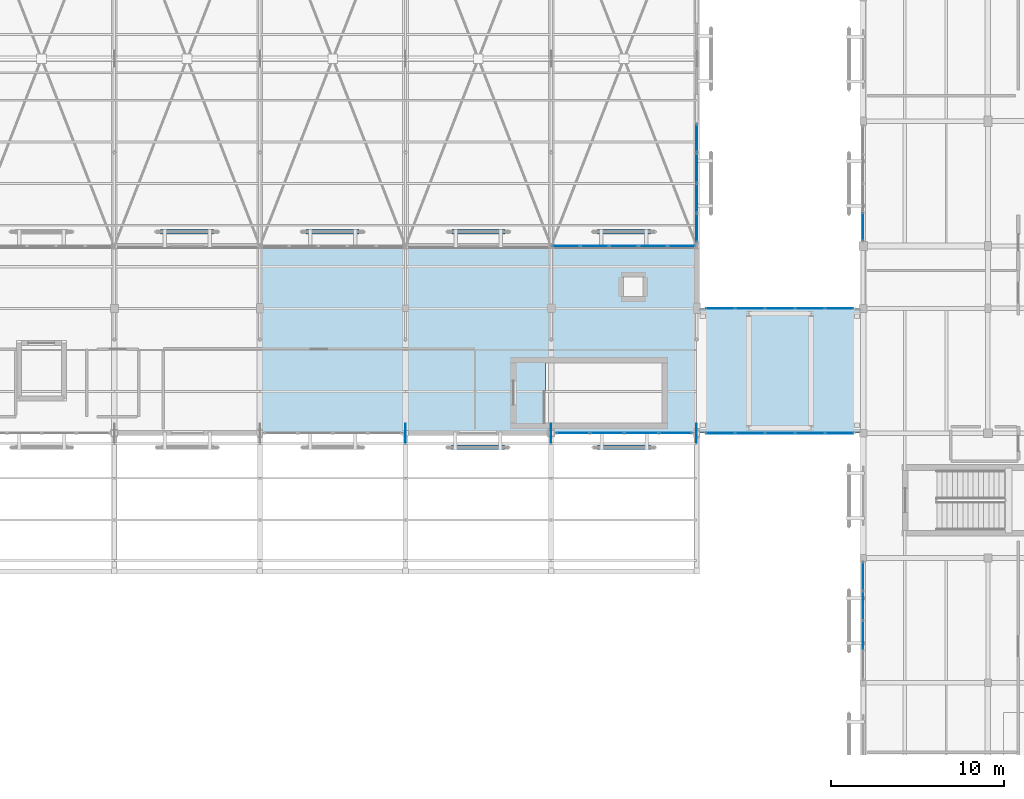
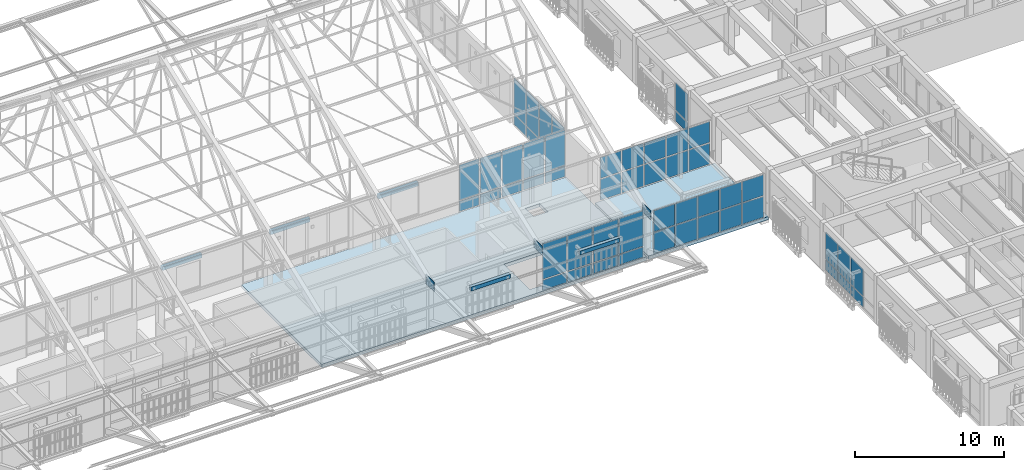
# One storey, part 170 of 217: 63 plates, 2 slabs, 7 elements without a shape of their own.
"""IFC4 building model written with IfcOpenShell, lengths in metres."""

from ifc_helpers import new_model, si_unit, direction, frame, origin, origin_2d, place, context, subcontext, project, spatial, polyline, rectangle, outline, extrude, material, layer, layer_set, type_object, element, aggregate, save


model = new_model("IFC4")

# Units and contexts
model_context = context("Model", 3, precision=1e-05, world=origin(), true_north=direction((0.0, 1.0)))
body_context = subcontext(model_context, "Body", "Model", "MODEL_VIEW")
ifc_project = project(units=[si_unit("LENGTHUNIT", "METRE"), si_unit("AREAUNIT", "SQUARE_METRE"), si_unit("VOLUMEUNIT", "CUBIC_METRE"), si_unit("PLANEANGLEUNIT", "RADIAN"), si_unit("MASSUNIT", "GRAM", prefix="KILO")], contexts=[model_context])

# Site, building, storey
site_placement = place(None, origin())
site = spatial("IfcSite", under=ifc_project, at=site_placement, CompositionType="ELEMENT")
building_placement = place(site_placement, origin())
building = spatial("IfcBuilding", under=site, at=building_placement, Name="Mazaris Harbour Polytechnic", CompositionType="ELEMENT")
storey_placement = place(building_placement, frame((0.0, 0.0, 9.60009765625)))
storey = spatial("IfcBuildingStorey", under=building, at=storey_placement, Name="L02", CompositionType="ELEMENT", Elevation=9.60009765625)

# Curtain wall, plates
ifc_material_1 = material(Name="Anodised Bronze Aluminium and Low-E Glass", Category="aluminium")
ifc_layer_1 = layer(ifc_material_1, 0.14990234375, Name="Anodised Bronze Aluminium and Low-E Glass")
ifc_layer_set_1 = layer_set([ifc_layer_1], Name="Anodised Bronze Aluminium and Low-E Glass")
curtain_wall_type_1 = type_object("IfcCurtainWallType", Name="Workshop Clerestory Curtain Wall", PredefinedType="NOTDEFINED", material=ifc_layer_set_1)
curtain_wall_1_placement = place(storey_placement, origin())
curtain_wall_1 = element("IfcCurtainWall", 1, at=curtain_wall_1_placement, inside=storey, type_object=curtain_wall_type_1, Name="V1 L02 Curtain Wall 28", PredefinedType="NOTDEFINED")
ifc_material_2 = material(Name="Acoustic Low-E Double Glazing", Category="glass")
ifc_layer_2 = layer(ifc_material_2, 0.033935546875, Name="Acoustic Low-E Double Glazing")
ifc_layer_set_2 = layer_set([ifc_layer_2], Name="Acoustic Low-E Double Glazing")
plate_type_1 = type_object("IfcPlateType", Name="Acoustic Laminated Glass Panel 34", PredefinedType="CURTAIN_PANEL", material=ifc_layer_set_2)
plate_1_placement = place(storey_placement, frame((111.584716796875, 75.60009765625, 0.079833984375), z_axis=(0.0, 0.0, 1.0), x_axis=(-1.0, 0.0, 0.0)))
plate_1 = element("IfcPlate", 2, at=plate_1_placement, type_object=plate_type_1, Name="CW-04 panel 1.1", PredefinedType="CURTAIN_PANEL", context=body_context, shape_type="SweptSolid", body=[
    extrude(rectangle(XDim=1.846435546875, YDim=0.033935546875, at=origin_2d()), origin(), (0.0, 0.0, 1.0), 0.830078125),
])
plate_2_placement = place(storey_placement, frame((111.584716796875, 75.60009765625, 0.98974609375), z_axis=(0.0, 0.0, 1.0), x_axis=(-1.0, 0.0, 0.0)))
plate_2 = element("IfcPlate", 3, at=plate_2_placement, type_object=plate_type_1, Name="CW-04 panel 1.2", PredefinedType="CURTAIN_PANEL", context=body_context, shape_type="SweptSolid", body=[
    extrude(rectangle(XDim=1.846435546875, YDim=0.033935546875, at=origin_2d()), origin(), (0.0, 0.0, 1.0), 2.889892578125),
])
plate_3_placement = place(storey_placement, frame((109.61328125, 75.60009765625, 0.079833984375), z_axis=(0.0, 0.0, 1.0), x_axis=(-1.0, 0.0, 0.0)))
plate_3 = element("IfcPlate", 4, at=plate_3_placement, type_object=plate_type_1, Name="CW-04 panel 2.1", PredefinedType="CURTAIN_PANEL", context=body_context, shape_type="SweptSolid", body=[
    extrude(rectangle(XDim=1.896484375, YDim=0.033935546875, at=origin_2d()), origin(), (0.0, 0.0, 1.0), 0.830078125),
])
plate_4_placement = place(storey_placement, frame((109.61328125, 75.60009765625, 0.98974609375), z_axis=(0.0, 0.0, 1.0), x_axis=(-1.0, 0.0, 0.0)))
plate_4 = element("IfcPlate", 5, at=plate_4_placement, type_object=plate_type_1, Name="CW-04 panel 2.2", PredefinedType="CURTAIN_PANEL", context=body_context, shape_type="SweptSolid", body=[
    extrude(rectangle(XDim=1.896484375, YDim=0.033935546875, at=origin_2d()), origin(), (0.0, 0.0, 1.0), 2.889892578125),
])
plate_5_placement = place(storey_placement, frame((107.61669921875, 75.60009765625, 0.079833984375), z_axis=(0.0, 0.0, 1.0), x_axis=(-1.0, 0.0, 0.0)))
plate_5 = element("IfcPlate", 6, at=plate_5_placement, type_object=plate_type_1, Name="CW-04 panel 3.1", PredefinedType="CURTAIN_PANEL", context=body_context, shape_type="SweptSolid", body=[
    extrude(rectangle(XDim=1.896484375, YDim=0.033935546875, at=origin_2d()), origin(), (0.0, 0.0, 1.0), 0.830078125),
])
plate_6_placement = place(storey_placement, frame((107.61669921875, 75.60009765625, 0.98974609375), z_axis=(0.0, 0.0, 1.0), x_axis=(-1.0, 0.0, 0.0)))
plate_6 = element("IfcPlate", 7, at=plate_6_placement, type_object=plate_type_1, Name="CW-04 panel 3.2", PredefinedType="CURTAIN_PANEL", context=body_context, shape_type="SweptSolid", body=[
    extrude(rectangle(XDim=1.896484375, YDim=0.033935546875, at=origin_2d()), origin(), (0.0, 0.0, 1.0), 2.889892578125),
])
plate_7_placement = place(storey_placement, frame((105.645263671875, 75.60009765625, 0.079833984375), z_axis=(0.0, 0.0, 1.0), x_axis=(-1.0, 0.0, 0.0)))
plate_7 = element("IfcPlate", 8, at=plate_7_placement, type_object=plate_type_1, Name="CW-04 panel 4.1", PredefinedType="CURTAIN_PANEL", context=body_context, shape_type="SweptSolid", body=[
    extrude(rectangle(XDim=1.846435546875, YDim=0.033935546875, at=origin_2d()), origin(), (0.0, 0.0, 1.0), 0.830078125),
])
plate_8_placement = place(storey_placement, frame((105.645263671875, 75.60009765625, 0.98974609375), z_axis=(0.0, 0.0, 1.0), x_axis=(-1.0, 0.0, 0.0)))
plate_8 = element("IfcPlate", 9, at=plate_8_placement, type_object=plate_type_1, Name="CW-04 panel 4.2", PredefinedType="CURTAIN_PANEL", context=body_context, shape_type="SweptSolid", body=[
    extrude(rectangle(XDim=1.846435546875, YDim=0.033935546875, at=origin_2d()), origin(), (0.0, 0.0, 1.0), 2.889892578125),
])
aggregate(curtain_wall_1, [plate_1, plate_2, plate_3, plate_4, plate_5, plate_6, plate_7, plate_8])

curtain_wall_2_placement = place(storey_placement, origin())
curtain_wall_2 = element("IfcCurtainWall", 10, at=curtain_wall_2_placement, inside=storey, type_object=curtain_wall_type_1, Name="V1 L02 Curtain Wall 32", PredefinedType="NOTDEFINED")
plate_9_placement = place(storey_placement, frame((105.271484375, 86.39990234375, 0.079833984375), z_axis=(0.0, 0.0, 1.0), x_axis=(1.0, 0.0, 0.0)))
plate_9 = element("IfcPlate", 11, at=plate_9_placement, type_object=plate_type_1, Name="CW-04 panel 1.1", PredefinedType="CURTAIN_PANEL", context=body_context, shape_type="SweptSolid", body=[
    extrude(rectangle(XDim=1.52685546875, YDim=0.033935546875, at=origin_2d()), origin(), (0.0, 0.0, 1.0), 0.830078125),
])
plate_10_placement = place(storey_placement, frame((105.271484375, 86.39990234375, 0.98974609375), z_axis=(0.0, 0.0, 1.0), x_axis=(1.0, 0.0, 0.0)))
plate_10 = element("IfcPlate", 12, at=plate_10_placement, type_object=plate_type_1, Name="CW-04 panel 1.2", PredefinedType="CURTAIN_PANEL", context=body_context, shape_type="SweptSolid", body=[
    extrude(rectangle(XDim=1.52685546875, YDim=0.033935546875, at=origin_2d()), origin(), (0.0, 0.0, 1.0), 2.889892578125),
])
plate_11_placement = place(storey_placement, frame((106.923095703125, 86.39990234375, 0.079833984375), z_axis=(0.0, 0.0, 1.0), x_axis=(1.0, 0.0, 0.0)))
plate_11 = element("IfcPlate", 13, at=plate_11_placement, type_object=plate_type_1, Name="CW-04 panel 2.1", PredefinedType="CURTAIN_PANEL", context=body_context, shape_type="SweptSolid", body=[
    extrude(rectangle(XDim=1.576904296875, YDim=0.033935546875, at=origin_2d()), origin(), (0.0, 0.0, 1.0), 0.830078125),
])
plate_12_placement = place(storey_placement, frame((106.923095703125, 86.39990234375, 0.98974609375), z_axis=(0.0, 0.0, 1.0), x_axis=(1.0, 0.0, 0.0)))
plate_12 = element("IfcPlate", 14, at=plate_12_placement, type_object=plate_type_1, Name="CW-04 panel 2.2", PredefinedType="CURTAIN_PANEL", context=body_context, shape_type="SweptSolid", body=[
    extrude(rectangle(XDim=1.576904296875, YDim=0.033935546875, at=origin_2d()), origin(), (0.0, 0.0, 1.0), 2.889892578125),
])
plate_13_placement = place(storey_placement, frame((108.60009765625, 86.39990234375, 0.079833984375), z_axis=(0.0, 0.0, 1.0), x_axis=(1.0, 0.0, 0.0)))
plate_13 = element("IfcPlate", 15, at=plate_13_placement, type_object=plate_type_1, Name="CW-04 panel 3.1", PredefinedType="CURTAIN_PANEL", context=body_context, shape_type="SweptSolid", body=[
    extrude(rectangle(XDim=1.576904296875, YDim=0.033935546875, at=origin_2d()), origin(), (0.0, 0.0, 1.0), 0.830078125),
])
plate_14_placement = place(storey_placement, frame((108.60009765625, 86.39990234375, 0.98974609375), z_axis=(0.0, 0.0, 1.0), x_axis=(1.0, 0.0, 0.0)))
plate_14 = element("IfcPlate", 16, at=plate_14_placement, type_object=plate_type_1, Name="CW-04 panel 3.2", PredefinedType="CURTAIN_PANEL", context=body_context, shape_type="SweptSolid", body=[
    extrude(rectangle(XDim=1.576904296875, YDim=0.033935546875, at=origin_2d()), origin(), (0.0, 0.0, 1.0), 2.889892578125),
])
plate_15_placement = place(storey_placement, frame((110.27685546875, 86.39990234375, 0.079833984375), z_axis=(0.0, 0.0, 1.0), x_axis=(1.0, 0.0, 0.0)))
plate_15 = element("IfcPlate", 17, at=plate_15_placement, type_object=plate_type_1, Name="CW-04 panel 4.1", PredefinedType="CURTAIN_PANEL", context=body_context, shape_type="SweptSolid", body=[
    extrude(rectangle(XDim=1.576904296875, YDim=0.033935546875, at=origin_2d()), origin(), (0.0, 0.0, 1.0), 0.830078125),
])
plate_16_placement = place(storey_placement, frame((110.27685546875, 86.39990234375, 0.98974609375), z_axis=(0.0, 0.0, 1.0), x_axis=(1.0, 0.0, 0.0)))
plate_16 = element("IfcPlate", 18, at=plate_16_placement, type_object=plate_type_1, Name="CW-04 panel 4.2", PredefinedType="CURTAIN_PANEL", context=body_context, shape_type="SweptSolid", body=[
    extrude(rectangle(XDim=1.576904296875, YDim=0.033935546875, at=origin_2d()), origin(), (0.0, 0.0, 1.0), 2.889892578125),
])
plate_17_placement = place(storey_placement, frame((111.9287109375, 86.39990234375, 0.079833984375), z_axis=(0.0, 0.0, 1.0), x_axis=(1.0, 0.0, 0.0)))
plate_17 = element("IfcPlate", 19, at=plate_17_placement, type_object=plate_type_1, Name="CW-04 panel 5.1", PredefinedType="CURTAIN_PANEL", context=body_context, shape_type="SweptSolid", body=[
    extrude(rectangle(XDim=1.52685546875, YDim=0.033935546875, at=origin_2d()), origin(), (0.0, 0.0, 1.0), 0.830078125),
])
plate_18_placement = place(storey_placement, frame((111.9287109375, 86.39990234375, 0.98974609375), z_axis=(0.0, 0.0, 1.0), x_axis=(1.0, 0.0, 0.0)))
plate_18 = element("IfcPlate", 20, at=plate_18_placement, type_object=plate_type_1, Name="CW-04 panel 5.2", PredefinedType="CURTAIN_PANEL", context=body_context, shape_type="SweptSolid", body=[
    extrude(rectangle(XDim=1.52685546875, YDim=0.033935546875, at=origin_2d()), origin(), (0.0, 0.0, 1.0), 2.889892578125),
])
aggregate(curtain_wall_2, [plate_9, plate_10, plate_11, plate_12, plate_13, plate_14, plate_15, plate_16, plate_17, plate_18])

curtain_wall_3_placement = place(storey_placement, origin())
curtain_wall_3 = element("IfcCurtainWall", 21, at=curtain_wall_3_placement, inside=storey, type_object=curtain_wall_type_1, Name="V1 L02 Curtain Wall 35", PredefinedType="NOTDEFINED")
plate_19_placement = place(storey_placement, frame((112.800048828125, 92.59228515625, 0.079833984375), z_axis=(0.0, 0.0, 1.0), x_axis=(0.0, -1.0, 0.0)))
plate_19 = element("IfcPlate", 22, at=plate_19_placement, type_object=plate_type_1, Name="CW-04 panel 1.1", PredefinedType="CURTAIN_PANEL", context=body_context, shape_type="SweptSolid", body=[
    extrude(rectangle(XDim=1.58154296875, YDim=0.033935546875, at=origin_2d()), origin(), (0.0, 0.0, 1.0), 0.830078125),
])
plate_20_placement = place(storey_placement, frame((112.800048828125, 92.59228515625, 0.98974609375), z_axis=(0.0, 0.0, 1.0), x_axis=(0.0, -1.0, 0.0)))
plate_20 = element("IfcPlate", 23, at=plate_20_placement, type_object=plate_type_1, Name="CW-04 panel 1.2", PredefinedType="CURTAIN_PANEL", context=body_context, shape_type="SweptSolid", body=[
    extrude(rectangle(XDim=1.58154296875, YDim=0.033935546875, at=origin_2d()), origin(), (0.0, 0.0, 1.0), 2.889892578125),
])
plate_21_placement = place(storey_placement, frame((112.800048828125, 90.8857421875, 0.079833984375), z_axis=(0.0, 0.0, 1.0), x_axis=(0.0, -1.0, 0.0)))
plate_21 = element("IfcPlate", 24, at=plate_21_placement, type_object=plate_type_1, Name="CW-04 panel 2.1", PredefinedType="CURTAIN_PANEL", context=body_context, shape_type="SweptSolid", body=[
    extrude(rectangle(XDim=1.631591796875, YDim=0.033935546875, at=origin_2d()), origin(), (0.0, 0.0, 1.0), 0.830078125),
])
plate_22_placement = place(storey_placement, frame((112.800048828125, 90.8857421875, 0.98974609375), z_axis=(0.0, 0.0, 1.0), x_axis=(0.0, -1.0, 0.0)))
plate_22 = element("IfcPlate", 25, at=plate_22_placement, type_object=plate_type_1, Name="CW-04 panel 2.2", PredefinedType="CURTAIN_PANEL", context=body_context, shape_type="SweptSolid", body=[
    extrude(rectangle(XDim=1.631591796875, YDim=0.033935546875, at=origin_2d()), origin(), (0.0, 0.0, 1.0), 2.889892578125),
])
plate_23_placement = place(storey_placement, frame((112.800048828125, 89.154296875, 0.079833984375), z_axis=(0.0, 0.0, 1.0), x_axis=(0.0, -1.0, 0.0)))
plate_23 = element("IfcPlate", 26, at=plate_23_placement, type_object=plate_type_1, Name="CW-04 panel 3.1", PredefinedType="CURTAIN_PANEL", context=body_context, shape_type="SweptSolid", body=[
    extrude(rectangle(XDim=1.631591796875, YDim=0.033935546875, at=origin_2d()), origin(), (0.0, 0.0, 1.0), 0.830078125),
])
plate_24_placement = place(storey_placement, frame((112.800048828125, 89.154296875, 0.98974609375), z_axis=(0.0, 0.0, 1.0), x_axis=(0.0, -1.0, 0.0)))
plate_24 = element("IfcPlate", 27, at=plate_24_placement, type_object=plate_type_1, Name="CW-04 panel 3.2", PredefinedType="CURTAIN_PANEL", context=body_context, shape_type="SweptSolid", body=[
    extrude(rectangle(XDim=1.631591796875, YDim=0.033935546875, at=origin_2d()), origin(), (0.0, 0.0, 1.0), 2.889892578125),
])
plate_25_placement = place(storey_placement, frame((112.800048828125, 87.44775390625, 0.079833984375), z_axis=(0.0, 0.0, 1.0), x_axis=(0.0, -1.0, 0.0)))
plate_25 = element("IfcPlate", 28, at=plate_25_placement, type_object=plate_type_1, Name="CW-04 panel 4.1", PredefinedType="CURTAIN_PANEL", context=body_context, shape_type="SweptSolid", body=[
    extrude(rectangle(XDim=1.58154296875, YDim=0.033935546875, at=origin_2d()), origin(), (0.0, 0.0, 1.0), 0.830078125),
])
plate_26_placement = place(storey_placement, frame((112.800048828125, 87.44775390625, 0.98974609375), z_axis=(0.0, 0.0, 1.0), x_axis=(0.0, -1.0, 0.0)))
plate_26 = element("IfcPlate", 29, at=plate_26_placement, type_object=plate_type_1, Name="CW-04 panel 4.2", PredefinedType="CURTAIN_PANEL", context=body_context, shape_type="SweptSolid", body=[
    extrude(rectangle(XDim=1.58154296875, YDim=0.033935546875, at=origin_2d()), origin(), (0.0, 0.0, 1.0), 2.889892578125),
])
aggregate(curtain_wall_3, [plate_19, plate_20, plate_21, plate_22, plate_23, plate_24, plate_25, plate_26])

# Slabs
ifc_material_3 = material(Name="Glulam GL28h and Concrete C30/37", Category="concrete")
ifc_layer_3 = layer(ifc_material_3, 0.264892578125, Name="Glulam GL28h and Concrete C30/37")
ifc_layer_set_3 = layer_set([ifc_layer_3], Name="Glulam GL28h and Concrete C30/37")
slab_type_1 = type_object("IfcSlabType", Name="CLT Composite Floor 265", PredefinedType="FLOOR", material=ifc_layer_set_3)
slab_1_placement = place(storey_placement, frame((0.0, 0.0, -0.26513671875)))
element("IfcSlab", 30, at=slab_1_placement, inside=storey, type_object=slab_type_1, Name="PB-E2 L02 Bridge Deck", PredefinedType="FLOOR", context=body_context, shape_type="SweptSolid", body=[
    extrude(outline(polyline([(122.25, 75.60009765625), (122.25, 82.800048828125), (112.949951171875, 82.800048828125), (112.949951171875, 75.60009765625), (122.25, 75.60009765625)])), origin(), (0.0, 0.0, 1.0), 0.26513671875),
])
ifc_material_4 = material(Name="Glulam GL28h and Concrete C30/37", Category="concrete")
ifc_layer_4 = layer(ifc_material_4, 0.280029296875, Name="Glulam GL28h and Concrete C30/37")
ifc_layer_set_4 = layer_set([ifc_layer_4], Name="Glulam GL28h and Concrete C30/37")
slab_type_2 = type_object("IfcSlabType", Name="CLT Composite Floor 280", PredefinedType="FLOOR", material=ifc_layer_set_4)
slab_2_placement = place(storey_placement, frame((0.0, 0.0, -0.280029296875)))
element("IfcSlab", 31, at=slab_2_placement, inside=storey, type_object=slab_type_2, Name="V1 L02 Floor Slab", PredefinedType="FLOOR", context=body_context, shape_type="SweptSolid", body=[
    extrude(outline(polyline([(87.60009765625, 75.60009765625), (87.60009765625, 86.39990234375), (112.800048828125, 86.39990234375), (112.800048828125, 75.60009765625), (87.60009765625, 75.60009765625)]), holes=[polyline([(110.800048828125, 76.199951171875), (110.800048828125, 79.64990234375), (104.074951171875, 79.64990234375), (104.074951171875, 76.199951171875), (110.800048828125, 76.199951171875)]), polyline([(108.580078125, 84.60009765625), (108.580078125, 83.47998046875), (109.699951171875, 83.47998046875), (109.699951171875, 84.60009765625), (108.580078125, 84.60009765625)])]), origin(), (0.0, 0.0, 1.0), 0.280029296875),
])

# Curtain wall, plates
ifc_material_5 = material(Name="Anodised Bronze Aluminium and Low-E Glass", Category="aluminium")
ifc_layer_5 = layer(ifc_material_5, 0.139892578125, Name="Anodised Bronze Aluminium and Low-E Glass")
ifc_layer_set_5 = layer_set([ifc_layer_5], Name="Anodised Bronze Aluminium and Low-E Glass")
curtain_wall_type_2 = type_object("IfcCurtainWallType", Name="Seismic Link Bridge Glazing", PredefinedType="NOTDEFINED", material=ifc_layer_set_5)
curtain_wall_4_placement = place(storey_placement, origin())
curtain_wall_4 = element("IfcCurtainWall", 32, at=curtain_wall_4_placement, inside=storey, type_object=curtain_wall_type_2, Name="PB-E2 L02 Bridge Glazing", PredefinedType="NOTDEFINED")
ifc_material_6 = material(Name="Anodised Bronze Insulated Panel")
ifc_layer_6 = layer(ifc_material_6, 0.0419921875, Name="Anodised Bronze Insulated Panel")
ifc_layer_set_6 = layer_set([ifc_layer_6], Name="Anodised Bronze Insulated Panel")
plate_type_2 = type_object("IfcPlateType", Name="Insulated Bronze Spandrel Panel 42", PredefinedType="CURTAIN_PANEL", material=ifc_layer_set_6)
plate_27_placement = place(storey_placement, frame((114.1640625, 75.60009765625, 0.079833984375), z_axis=(0.0, 0.0, 1.0), x_axis=(1.0, 0.0, 0.0)))
plate_27 = element("IfcPlate", 33, at=plate_27_placement, type_object=plate_type_2, Name="CW-05 panel 1.1", PredefinedType="CURTAIN_PANEL", context=body_context, shape_type="SweptSolid", body=[
    extrude(rectangle(XDim=1.60791015625, YDim=0.0419921875, at=origin_2d()), origin(), (0.0, 0.0, 1.0), 1.7099609375),
])
plate_28_placement = place(storey_placement, frame((114.1640625, 75.60009765625, 1.869873046875), z_axis=(0.0, 0.0, 1.0), x_axis=(1.0, 0.0, 0.0)))
plate_28 = element("IfcPlate", 34, at=plate_28_placement, type_object=plate_type_2, Name="CW-05 panel 1.2", PredefinedType="CURTAIN_PANEL", context=body_context, shape_type="SweptSolid", body=[
    extrude(rectangle(XDim=1.60791015625, YDim=0.0419921875, at=origin_2d()), origin(), (0.0, 0.0, 1.0), 1.7099609375),
])
plate_29_placement = place(storey_placement, frame((115.8720703125, 75.60009765625, 0.079833984375), z_axis=(0.0, 0.0, 1.0), x_axis=(1.0, 0.0, 0.0)))
plate_29 = element("IfcPlate", 35, at=plate_29_placement, type_object=plate_type_2, Name="CW-05 panel 2.1", PredefinedType="CURTAIN_PANEL", context=body_context, shape_type="SweptSolid", body=[
    extrude(rectangle(XDim=1.64794921875, YDim=0.0419921875, at=origin_2d()), origin(), (0.0, 0.0, 1.0), 1.7099609375),
])
plate_30_placement = place(storey_placement, frame((115.8720703125, 75.60009765625, 1.869873046875), z_axis=(0.0, 0.0, 1.0), x_axis=(1.0, 0.0, 0.0)))
plate_30 = element("IfcPlate", 36, at=plate_30_placement, type_object=plate_type_2, Name="CW-05 panel 2.2", PredefinedType="CURTAIN_PANEL", context=body_context, shape_type="SweptSolid", body=[
    extrude(rectangle(XDim=1.64794921875, YDim=0.0419921875, at=origin_2d()), origin(), (0.0, 0.0, 1.0), 1.7099609375),
])
plate_31_placement = place(storey_placement, frame((117.60009765625, 75.60009765625, 0.079833984375), z_axis=(0.0, 0.0, 1.0), x_axis=(1.0, 0.0, 0.0)))
plate_31 = element("IfcPlate", 37, at=plate_31_placement, type_object=plate_type_2, Name="CW-05 panel 3.1", PredefinedType="CURTAIN_PANEL", context=body_context, shape_type="SweptSolid", body=[
    extrude(rectangle(XDim=1.64794921875, YDim=0.0419921875, at=origin_2d()), origin(), (0.0, 0.0, 1.0), 1.7099609375),
])
plate_32_placement = place(storey_placement, frame((117.60009765625, 75.60009765625, 1.869873046875), z_axis=(0.0, 0.0, 1.0), x_axis=(1.0, 0.0, 0.0)))
plate_32 = element("IfcPlate", 38, at=plate_32_placement, type_object=plate_type_2, Name="CW-05 panel 3.2", PredefinedType="CURTAIN_PANEL", context=body_context, shape_type="SweptSolid", body=[
    extrude(rectangle(XDim=1.64794921875, YDim=0.0419921875, at=origin_2d()), origin(), (0.0, 0.0, 1.0), 1.7099609375),
])
plate_33_placement = place(storey_placement, frame((119.327880859375, 75.60009765625, 0.079833984375), z_axis=(0.0, 0.0, 1.0), x_axis=(1.0, 0.0, 0.0)))
plate_33 = element("IfcPlate", 39, at=plate_33_placement, type_object=plate_type_2, Name="CW-05 panel 4.1", PredefinedType="CURTAIN_PANEL", context=body_context, shape_type="SweptSolid", body=[
    extrude(rectangle(XDim=1.64794921875, YDim=0.0419921875, at=origin_2d()), origin(), (0.0, 0.0, 1.0), 1.7099609375),
])
plate_34_placement = place(storey_placement, frame((119.327880859375, 75.60009765625, 1.869873046875), z_axis=(0.0, 0.0, 1.0), x_axis=(1.0, 0.0, 0.0)))
plate_34 = element("IfcPlate", 40, at=plate_34_placement, type_object=plate_type_2, Name="CW-05 panel 4.2", PredefinedType="CURTAIN_PANEL", context=body_context, shape_type="SweptSolid", body=[
    extrude(rectangle(XDim=1.64794921875, YDim=0.0419921875, at=origin_2d()), origin(), (0.0, 0.0, 1.0), 1.7099609375),
])
plate_35_placement = place(storey_placement, frame((121.035888671875, 75.60009765625, 0.079833984375), z_axis=(0.0, 0.0, 1.0), x_axis=(1.0, 0.0, 0.0)))
plate_35 = element("IfcPlate", 41, at=plate_35_placement, type_object=plate_type_2, Name="CW-05 panel 5.1", PredefinedType="CURTAIN_PANEL", context=body_context, shape_type="SweptSolid", body=[
    extrude(rectangle(XDim=1.60791015625, YDim=0.0419921875, at=origin_2d()), origin(), (0.0, 0.0, 1.0), 1.7099609375),
])
plate_36_placement = place(storey_placement, frame((121.035888671875, 75.60009765625, 1.869873046875), z_axis=(0.0, 0.0, 1.0), x_axis=(1.0, 0.0, 0.0)))
plate_36 = element("IfcPlate", 42, at=plate_36_placement, type_object=plate_type_2, Name="CW-05 panel 5.2", PredefinedType="CURTAIN_PANEL", context=body_context, shape_type="SweptSolid", body=[
    extrude(rectangle(XDim=1.60791015625, YDim=0.0419921875, at=origin_2d()), origin(), (0.0, 0.0, 1.0), 1.7099609375),
])
aggregate(curtain_wall_4, [plate_27, plate_28, plate_29, plate_30, plate_31, plate_32, plate_33, plate_34, plate_35, plate_36])

curtain_wall_5_placement = place(storey_placement, origin())
curtain_wall_5 = element("IfcCurtainWall", 43, at=curtain_wall_5_placement, inside=storey, type_object=curtain_wall_type_2, Name="PB-E2 L02 Bridge Glazing", PredefinedType="NOTDEFINED")
ifc_material_7 = material(Name="Low-E Double Glazing", Category="glass")
ifc_layer_7 = layer(ifc_material_7, 0.028076171875, Name="Low-E Double Glazing")
ifc_layer_set_7 = layer_set([ifc_layer_7], Name="Low-E Double Glazing")
plate_type_3 = type_object("IfcPlateType", Name="Low-E Vision Glass Panel 28", PredefinedType="CURTAIN_PANEL", material=ifc_layer_set_7)
plate_37_placement = place(storey_placement, frame((121.035888671875, 82.800048828125, 0.079833984375), z_axis=(0.0, 0.0, 1.0), x_axis=(-1.0, 0.0, 0.0)))
plate_37 = element("IfcPlate", 44, at=plate_37_placement, type_object=plate_type_3, Name="CW-05 panel 1.1", PredefinedType="CURTAIN_PANEL", context=body_context, shape_type="SweptSolid", body=[
    extrude(rectangle(XDim=1.60791015625, YDim=0.028076171875, at=origin_2d()), origin(), (0.0, 0.0, 1.0), 1.7099609375),
])
plate_38_placement = place(storey_placement, frame((121.035888671875, 82.800048828125, 1.869873046875), z_axis=(0.0, 0.0, 1.0), x_axis=(-1.0, 0.0, 0.0)))
plate_38 = element("IfcPlate", 45, at=plate_38_placement, type_object=plate_type_3, Name="CW-05 panel 1.2", PredefinedType="CURTAIN_PANEL", context=body_context, shape_type="SweptSolid", body=[
    extrude(rectangle(XDim=1.60791015625, YDim=0.028076171875, at=origin_2d()), origin(), (0.0, 0.0, 1.0), 1.7099609375),
])
plate_39_placement = place(storey_placement, frame((119.327880859375, 82.800048828125, 0.079833984375), z_axis=(0.0, 0.0, 1.0), x_axis=(-1.0, 0.0, 0.0)))
plate_39 = element("IfcPlate", 46, at=plate_39_placement, type_object=plate_type_3, Name="CW-05 panel 2.1", PredefinedType="CURTAIN_PANEL", context=body_context, shape_type="SweptSolid", body=[
    extrude(rectangle(XDim=1.64794921875, YDim=0.028076171875, at=origin_2d()), origin(), (0.0, 0.0, 1.0), 1.7099609375),
])
plate_40_placement = place(storey_placement, frame((119.327880859375, 82.800048828125, 1.869873046875), z_axis=(0.0, 0.0, 1.0), x_axis=(-1.0, 0.0, 0.0)))
plate_40 = element("IfcPlate", 47, at=plate_40_placement, type_object=plate_type_3, Name="CW-05 panel 2.2", PredefinedType="CURTAIN_PANEL", context=body_context, shape_type="SweptSolid", body=[
    extrude(rectangle(XDim=1.64794921875, YDim=0.028076171875, at=origin_2d()), origin(), (0.0, 0.0, 1.0), 1.7099609375),
])
plate_41_placement = place(storey_placement, frame((117.60009765625, 82.800048828125, 0.079833984375), z_axis=(0.0, 0.0, 1.0), x_axis=(-1.0, 0.0, 0.0)))
plate_41 = element("IfcPlate", 48, at=plate_41_placement, type_object=plate_type_3, Name="CW-05 panel 3.1", PredefinedType="CURTAIN_PANEL", context=body_context, shape_type="SweptSolid", body=[
    extrude(rectangle(XDim=1.64794921875, YDim=0.028076171875, at=origin_2d()), origin(), (0.0, 0.0, 1.0), 1.7099609375),
])
plate_42_placement = place(storey_placement, frame((117.60009765625, 82.800048828125, 1.869873046875), z_axis=(0.0, 0.0, 1.0), x_axis=(-1.0, 0.0, 0.0)))
plate_42 = element("IfcPlate", 49, at=plate_42_placement, type_object=plate_type_3, Name="CW-05 panel 3.2", PredefinedType="CURTAIN_PANEL", context=body_context, shape_type="SweptSolid", body=[
    extrude(rectangle(XDim=1.64794921875, YDim=0.028076171875, at=origin_2d()), origin(), (0.0, 0.0, 1.0), 1.7099609375),
])
plate_43_placement = place(storey_placement, frame((115.8720703125, 82.800048828125, 0.079833984375), z_axis=(0.0, 0.0, 1.0), x_axis=(-1.0, 0.0, 0.0)))
plate_43 = element("IfcPlate", 50, at=plate_43_placement, type_object=plate_type_3, Name="CW-05 panel 4.1", PredefinedType="CURTAIN_PANEL", context=body_context, shape_type="SweptSolid", body=[
    extrude(rectangle(XDim=1.64794921875, YDim=0.028076171875, at=origin_2d()), origin(), (0.0, 0.0, 1.0), 1.7099609375),
])
plate_44_placement = place(storey_placement, frame((115.8720703125, 82.800048828125, 1.869873046875), z_axis=(0.0, 0.0, 1.0), x_axis=(-1.0, 0.0, 0.0)))
plate_44 = element("IfcPlate", 51, at=plate_44_placement, type_object=plate_type_3, Name="CW-05 panel 4.2", PredefinedType="CURTAIN_PANEL", context=body_context, shape_type="SweptSolid", body=[
    extrude(rectangle(XDim=1.64794921875, YDim=0.028076171875, at=origin_2d()), origin(), (0.0, 0.0, 1.0), 1.7099609375),
])
plate_45_placement = place(storey_placement, frame((114.1640625, 82.800048828125, 0.079833984375), z_axis=(0.0, 0.0, 1.0), x_axis=(-1.0, 0.0, 0.0)))
plate_45 = element("IfcPlate", 52, at=plate_45_placement, type_object=plate_type_3, Name="CW-05 panel 5.1", PredefinedType="CURTAIN_PANEL", context=body_context, shape_type="SweptSolid", body=[
    extrude(rectangle(XDim=1.60791015625, YDim=0.028076171875, at=origin_2d()), origin(), (0.0, 0.0, 1.0), 1.7099609375),
])
plate_46_placement = place(storey_placement, frame((114.1640625, 82.800048828125, 1.869873046875), z_axis=(0.0, 0.0, 1.0), x_axis=(-1.0, 0.0, 0.0)))
plate_46 = element("IfcPlate", 53, at=plate_46_placement, type_object=plate_type_3, Name="CW-05 panel 5.2", PredefinedType="CURTAIN_PANEL", context=body_context, shape_type="SweptSolid", body=[
    extrude(rectangle(XDim=1.60791015625, YDim=0.028076171875, at=origin_2d()), origin(), (0.0, 0.0, 1.0), 1.7099609375),
])
aggregate(curtain_wall_5, [plate_37, plate_38, plate_39, plate_40, plate_41, plate_42, plate_43, plate_44, plate_45, plate_46])

# Plates
ifc_material_8 = material(Name="Perforated Earth-Coloured Terracotta Block", Category="masonry")
ifc_layer_8 = layer(ifc_material_8, 0.25, Name="Perforated Earth-Coloured Terracotta Block")
ifc_layer_set_8 = layer_set([ifc_layer_8], Name="Perforated Earth-Coloured Terracotta Block")
plate_type_4 = type_object("IfcPlateType", Name="Perforated Terracotta Screen 3060x250x320", PredefinedType="USERDEFINED", material=ifc_layer_set_8)
for number, where, z_axis, x_axis, name in (
    (54, (100.169921875, 74.780029296875, 2.7099609375), (0.0, 0.0, 1.0), (-1.0, 0.0, 0.0), "V1 L02 Terracotta Screen Crest Plaque 28"),
    (55, (108.614990234375, 74.780029296875, 2.7099609375), (0.0, 0.0, 1.0), (-1.0, 0.0, 0.0), "V1 L02 Terracotta Screen Crest Plaque 29"),
    (56, (83.39990234375, 87.219970703125, 2.7099609375), (0.0, 0.0, 1.0), (1.0, 0.0, 0.0), "V1 L02 Terracotta Screen Crest Plaque 33"),
    (57, (91.800048828125, 87.219970703125, 2.7099609375), (0.0, 0.0, 1.0), (1.0, 0.0, 0.0), "V1 L02 Terracotta Screen Crest Plaque 34"),
    (58, (100.199951171875, 87.219970703125, 2.7099609375), (0.0, 0.0, 1.0), (1.0, 0.0, 0.0), "V1 L02 Terracotta Screen Crest Plaque 35"),
    (59, (108.60009765625, 87.219970703125, 2.7099609375), (0.0, 0.0, 1.0), (1.0, 0.0, 0.0), "V1 L02 Terracotta Screen Crest Plaque 36"),
):
    element("IfcPlate", number, at=place(storey_placement, frame(where, z_axis=z_axis, x_axis=x_axis)), inside=storey, type_object=plate_type_4, Name=name, ObjectType="SOLAR SCREEN", PredefinedType="USERDEFINED", context=body_context, shape_type="SweptSolid", body=[
        extrude(rectangle(XDim=3.06005859375, YDim=0.25, at=origin_2d()), origin(), (0.0, 0.0, 1.0), 0.320068359375),
    ])

# Curtain wall, plates
ifc_material_9 = material(Name="Anodised Bronze Aluminium and Low-E Glass", Category="aluminium")
ifc_layer_9 = layer(ifc_material_9, 0.169921875, Name="Anodised Bronze Aluminium and Low-E Glass")
ifc_layer_set_9 = layer_set([ifc_layer_9], Name="Anodised Bronze Aluminium and Low-E Glass")
curtain_wall_type_3 = type_object("IfcCurtainWallType", Name="Studio North-Light Curtain Wall", PredefinedType="NOTDEFINED", material=ifc_layer_set_9)
curtain_wall_6_placement = place(storey_placement, origin())
curtain_wall_6 = element("IfcCurtainWall", 60, at=curtain_wall_6_placement, inside=storey, type_object=curtain_wall_type_3, Name="V5 L02 Curtain Wall 232", PredefinedType="NOTDEFINED")
ifc_material_10 = material(Name="Solar-Control Low-E Glazing", Category="glass")
ifc_layer_10 = layer(ifc_material_10, 0.031982421875, Name="Solar-Control Low-E Glazing")
ifc_layer_set_10 = layer_set([ifc_layer_10], Name="Solar-Control Low-E Glazing")
plate_type_5 = type_object("IfcPlateType", Name="Solar Control Studio Glass Panel 32", PredefinedType="CURTAIN_PANEL", material=ifc_layer_set_10)
plate_47_placement = place(storey_placement, frame((122.39990234375, 63.93310546875, 0.079833984375), z_axis=(0.0, 0.0, 1.0), x_axis=(0.0, 1.0, 0.0)))
plate_47 = element("IfcPlate", 61, at=plate_47_placement, type_object=plate_type_5, Name="CW-03 panel 2.1", PredefinedType="CURTAIN_PANEL", context=body_context, shape_type="SweptSolid", body=[
    extrude(rectangle(XDim=1.634033203125, YDim=0.031982421875, at=origin_2d()), origin(), (0.0, 0.0, 1.0), 0.830078125),
])
plate_48_placement = place(storey_placement, frame((122.39990234375, 63.93310546875, 0.98974609375), z_axis=(0.0, 0.0, 1.0), x_axis=(0.0, 1.0, 0.0)))
plate_48 = element("IfcPlate", 62, at=plate_48_placement, type_object=plate_type_5, Name="CW-03 panel 2.2", PredefinedType="CURTAIN_PANEL", context=body_context, shape_type="SweptSolid", body=[
    extrude(rectangle(XDim=1.634033203125, YDim=0.031982421875, at=origin_2d()), origin(), (0.0, 0.0, 1.0), 2.199951171875),
])
plate_49_placement = place(storey_placement, frame((122.39990234375, 65.64697265625, 0.079833984375), z_axis=(0.0, 0.0, 1.0), x_axis=(0.0, 1.0, 0.0)))
plate_49 = element("IfcPlate", 63, at=plate_49_placement, type_object=plate_type_5, Name="CW-03 panel 3.1", PredefinedType="CURTAIN_PANEL", context=body_context, shape_type="SweptSolid", body=[
    extrude(rectangle(XDim=1.634033203125, YDim=0.031982421875, at=origin_2d()), origin(), (0.0, 0.0, 1.0), 0.830078125),
])
plate_50_placement = place(storey_placement, frame((122.39990234375, 65.64697265625, 0.98974609375), z_axis=(0.0, 0.0, 1.0), x_axis=(0.0, 1.0, 0.0)))
plate_50 = element("IfcPlate", 64, at=plate_50_placement, type_object=plate_type_5, Name="CW-03 panel 3.2", PredefinedType="CURTAIN_PANEL", context=body_context, shape_type="SweptSolid", body=[
    extrude(rectangle(XDim=1.634033203125, YDim=0.031982421875, at=origin_2d()), origin(), (0.0, 0.0, 1.0), 2.199951171875),
])
plate_51_placement = place(storey_placement, frame((122.39990234375, 67.341064453125, 0.079833984375), z_axis=(0.0, 0.0, 1.0), x_axis=(0.0, 1.0, 0.0)))
plate_51 = element("IfcPlate", 65, at=plate_51_placement, type_object=plate_type_5, Name="CW-03 panel 4.1", PredefinedType="CURTAIN_PANEL", context=body_context, shape_type="SweptSolid", body=[
    extrude(rectangle(XDim=1.593994140625, YDim=0.031982421875, at=origin_2d()), origin(), (0.0, 0.0, 1.0), 0.830078125),
])
plate_52_placement = place(storey_placement, frame((122.39990234375, 67.341064453125, 0.98974609375), z_axis=(0.0, 0.0, 1.0), x_axis=(0.0, 1.0, 0.0)))
plate_52 = element("IfcPlate", 66, at=plate_52_placement, type_object=plate_type_5, Name="CW-03 panel 4.2", PredefinedType="CURTAIN_PANEL", context=body_context, shape_type="SweptSolid", body=[
    extrude(rectangle(XDim=1.593994140625, YDim=0.031982421875, at=origin_2d()), origin(), (0.0, 0.0, 1.0), 2.199951171875),
])
aggregate(curtain_wall_6, [plate_47, plate_48, plate_49, plate_50, plate_51, plate_52])

curtain_wall_7_placement = place(storey_placement, origin())
curtain_wall_7 = element("IfcCurtainWall", 67, at=curtain_wall_7_placement, inside=storey, type_object=curtain_wall_type_3, Name="V5 L02 Curtain Wall 233", PredefinedType="NOTDEFINED")
plate_53_placement = place(storey_placement, frame((122.39990234375, 87.502685546875, 0.079833984375), z_axis=(0.0, 0.0, 1.0), x_axis=(0.0, 1.0, 0.0)))
plate_53 = element("IfcPlate", 68, at=plate_53_placement, type_object=plate_type_5, Name="CW-03 panel 1.1", PredefinedType="CURTAIN_PANEL", context=body_context, shape_type="SweptSolid", body=[
    extrude(rectangle(XDim=1.5615234375, YDim=0.031982421875, at=origin_2d()), origin(), (0.0, 0.0, 1.0), 0.830078125),
])
plate_54_placement = place(storey_placement, frame((122.39990234375, 87.502685546875, 0.98974609375), z_axis=(0.0, 0.0, 1.0), x_axis=(0.0, 1.0, 0.0)))
plate_54 = element("IfcPlate", 69, at=plate_54_placement, type_object=plate_type_5, Name="CW-03 panel 1.2", PredefinedType="CURTAIN_PANEL", context=body_context, shape_type="SweptSolid", body=[
    extrude(rectangle(XDim=1.5615234375, YDim=0.031982421875, at=origin_2d()), origin(), (0.0, 0.0, 1.0), 2.260009765625),
])
aggregate(curtain_wall_7, [plate_53, plate_54])

# Plates
ifc_material_11 = material(Name="Steel S355", Category="steel")
ifc_layer_11 = layer(ifc_material_11, 0.028076171875, Name="Steel S355")
ifc_layer_set_11 = layer_set([ifc_layer_11], Name="Steel S355")
plate_type_6 = type_object("IfcPlateType", Name="Truss Heel Gusset Plate 1100x750x28", PredefinedType="SHEET", material=ifc_layer_set_11)
for number, where, z_axis, x_axis, name in (
    (70, (96.0, 75.60009765625, 3.375), (0.0, 0.0, 1.0), (0.0, 1.0, 0.0), "Truss 6 South Heel Gusset Plate"),
    (71, (104.39990234375, 75.60009765625, 3.375), (0.0, 0.0, 1.0), (0.0, 1.0, 0.0), "Truss 7 South Heel Gusset Plate"),
    (72, (112.800048828125, 75.60009765625, 3.375), (0.0, 0.0, 1.0), (0.0, 1.0, 0.0), "Truss 8 South Heel Gusset Plate"),
):
    element("IfcPlate", number, at=place(storey_placement, frame(where, z_axis=z_axis, x_axis=x_axis)), inside=storey, type_object=plate_type_6, Name=name, PredefinedType="SHEET", context=body_context, shape_type="SweptSolid", body=[
        extrude(rectangle(XDim=1.10009765625, YDim=0.028076171875, at=origin_2d()), origin(), (0.0, 0.0, 1.0), 0.75),
    ])

save(model, "model.ifc")
